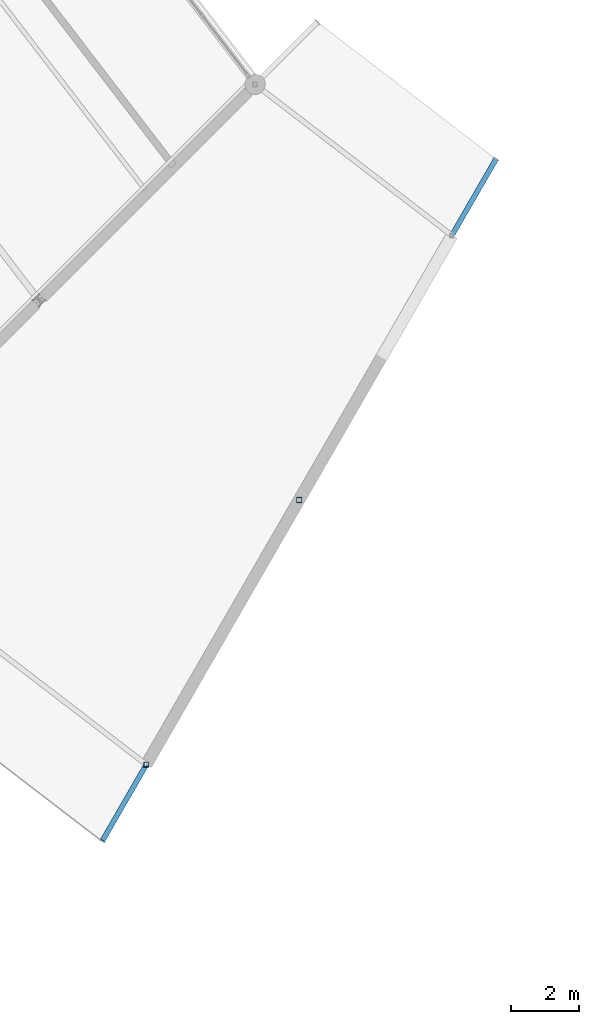
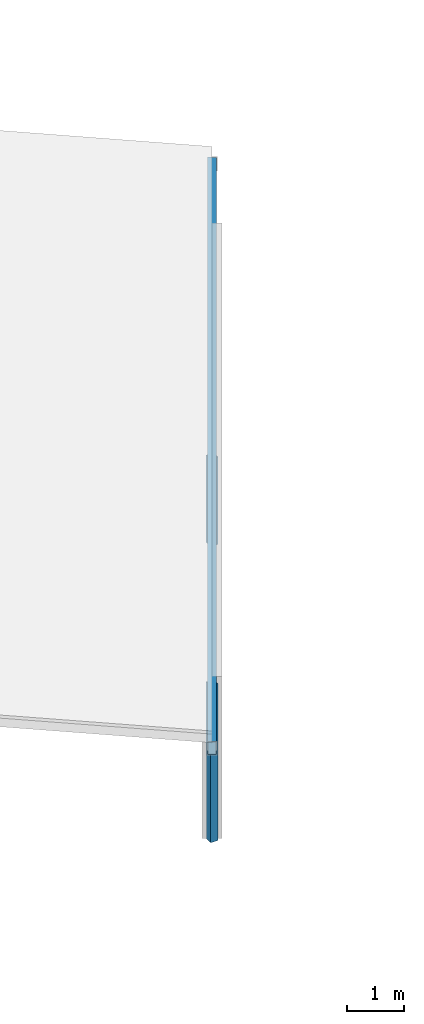
# One storey, part 37 of 200: 3 members.
"""IFC4 building model written with IfcOpenShell, lengths in metres."""

from ifc_helpers import new_model, si_unit, direction, frame, origin, origin_2d, place, context, subcontext, project, spatial, hollow_rectangle, extrude, material, material_profile, profile_set, type_object, element, save


model = new_model("IFC4")

# Units and contexts
model_context = context("Model", 3, precision=1e-05, world=origin(), true_north=direction((0.0, 1.0)))
body_context = subcontext(model_context, "Body", "Model", "MODEL_VIEW")
ifc_project = project(units=[si_unit("LENGTHUNIT", "METRE"), si_unit("AREAUNIT", "SQUARE_METRE"), si_unit("VOLUMEUNIT", "CUBIC_METRE"), si_unit("PLANEANGLEUNIT", "RADIAN"), si_unit("MASSUNIT", "GRAM", prefix="KILO")], contexts=[model_context])

# Site, building, storey
site_placement = place(None, origin())
site = spatial("IfcSite", under=ifc_project, at=site_placement, CompositionType="ELEMENT")
building_placement = place(site_placement, origin())
building = spatial("IfcBuilding", under=site, at=building_placement, Name="Vondelvale Polytechnic", CompositionType="ELEMENT")
storey_placement = place(building_placement, frame((0.0, 0.0, 13.800048828125)))
storey = spatial("IfcBuildingStorey", under=building, at=storey_placement, Name="L03", CompositionType="ELEMENT", Elevation=13.800048828125)

# Members
ifc_material = material(Name="Steel C350L0 (fy = 350 MPa)", Category="steel")
ifc_material_profile_1 = material_profile(ifc_material, hollow_rectangle(XDim=0.14990234375, YDim=0.25, WallThickness=0.006103515625, at=origin_2d()), Name="250x150x6.0RHS")
ifc_profile_set_1 = profile_set([ifc_material_profile_1], Name="Steel C350L0 (fy = 350 MPa)")
member_type_1 = type_object("IfcMemberType", Name="RAFTER RHS250", PredefinedType="RAFTER", material=ifc_profile_set_1)
member_1_placement = place(storey_placement, frame((77.699951171875, 29.9111328125, 3.765625), z_axis=(0.493427802493, 0.85463514825, -0.161640858395), x_axis=(-0.86602366199, 0.500003016864, 0.0)))
element("IfcMember", 1, at=member_1_placement, inside=storey, type_object=member_type_1, Name="Ring step inward-sloping rafter 15", PredefinedType="RAFTER", context=body_context, shape_type="SweptSolid", body=[
    extrude(hollow_rectangle(XDim=0.14990234375, YDim=0.25, WallThickness=0.006103515625, at=origin_2d()), origin(), (0.0, 0.0, 1.0), 23.50927734375),
])
ifc_material_profile_2 = material_profile(ifc_material, hollow_rectangle(XDim=0.14990234375, YDim=0.14990234375, WallThickness=0.006103515625, at=origin_2d()), Name="150x150x6.0SHS")
ifc_profile_set_2 = profile_set([ifc_material_profile_2], Name="Steel C350L0 (fy = 350 MPa)")
member_type_2 = type_object("IfcMemberType", Name="ROOF TRUSS POST 150SHS", PredefinedType="POST", material=ifc_profile_set_2)
member_2_placement = place(storey_placement, frame((79.0, 32.162841796875, 0.0), z_axis=(0.0, 0.0, 1.0), x_axis=(1.0, 0.0, 0.0)))
element("IfcMember", 2, at=member_2_placement, inside=storey, type_object=member_type_2, Name="Ring step outer roof post 15", PredefinedType="POST", context=body_context, shape_type="SweptSolid", body=[
    extrude(hollow_rectangle(XDim=0.14990234375, YDim=0.14990234375, WallThickness=0.006103515625, at=origin_2d()), origin(), (0.0, 0.0, 1.0), 3.33984375),
])
member_3_placement = place(storey_placement, frame((83.5, 39.95703125, 0.0), z_axis=(0.0, 0.0, 1.0), x_axis=(1.0, 0.0, 0.0)))
element("IfcMember", 3, at=member_3_placement, inside=storey, type_object=member_type_2, Name="Ring step mid roof post 15", PredefinedType="POST", context=body_context, shape_type="SweptSolid", body=[
    extrude(hollow_rectangle(XDim=0.14990234375, YDim=0.14990234375, WallThickness=0.006103515625, at=origin_2d()), origin(), (0.0, 0.0, 1.0), 1.86572265625),
])

save(model, "model.ifc")
